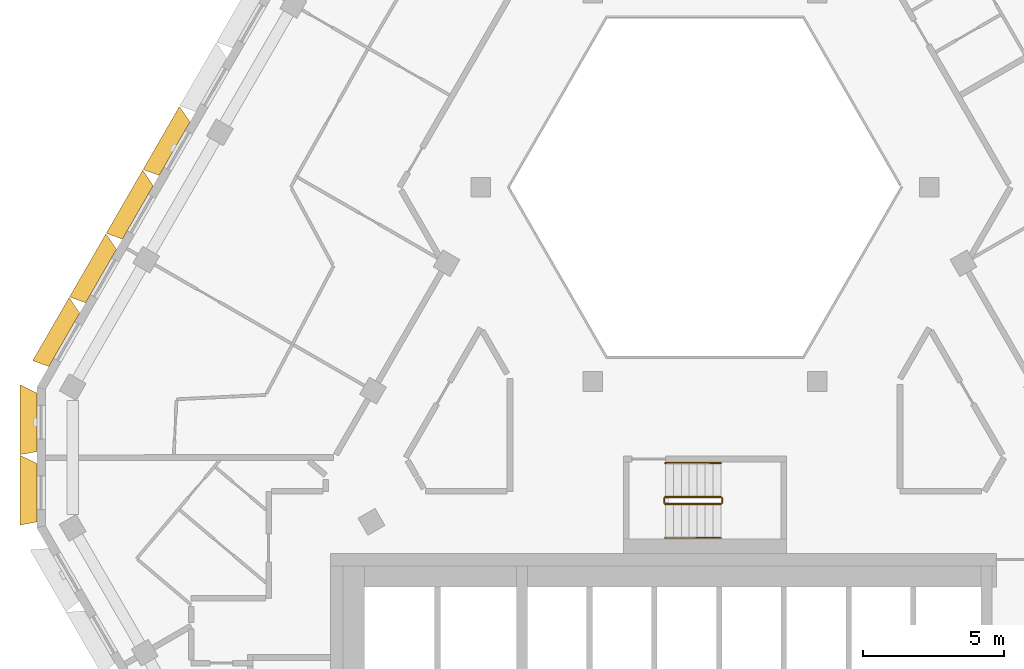
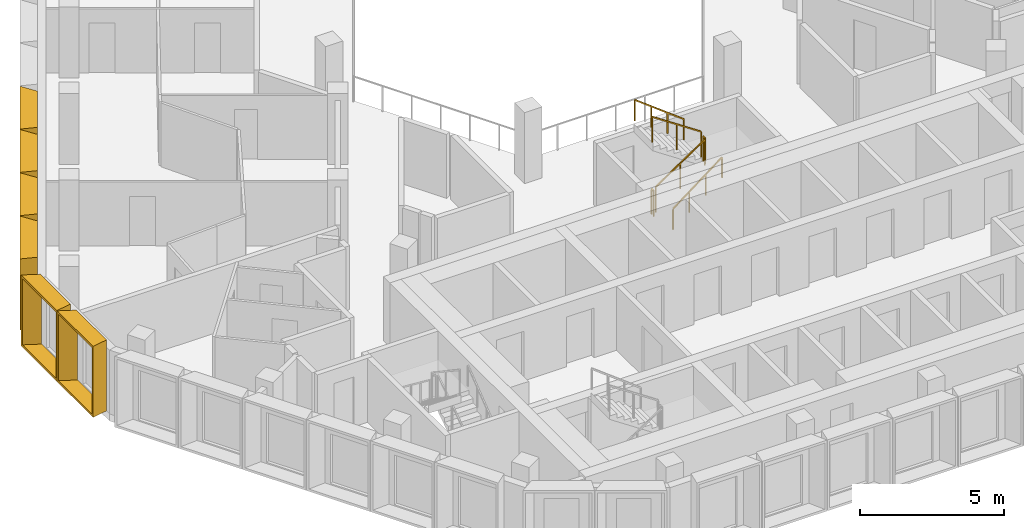
# One storey, part 13 of 16: 6 railings, 6 shading devices.
"""IFC4 building model written with IfcOpenShell, lengths in metres."""

from ifc_helpers import new_model, entity, si_unit, direction, frame, origin, origin_2d, place, context, subcontext, project, spatial, rectangle, extrude, source, transform, mapped, material, type_object, type_shapes, element, save


model = new_model("IFC4")

# Units and contexts
model_context = context("Model", 3, precision=1e-05, world=origin(), true_north=direction((0.0, 1.0)))
body_context = subcontext(model_context, "Body", "Model", "MODEL_VIEW")
ifc_project = project(units=[si_unit("LENGTHUNIT", "METRE"), si_unit("AREAUNIT", "SQUARE_METRE"), si_unit("VOLUMEUNIT", "CUBIC_METRE"), si_unit("PLANEANGLEUNIT", "RADIAN"), si_unit("MASSUNIT", "GRAM", prefix="KILO")], contexts=[model_context])

# Site, building, storey
site_placement = place(None, origin())
site = spatial("IfcSite", under=ifc_project, at=site_placement, CompositionType="ELEMENT")
building_placement = place(site_placement, origin())
building = spatial("IfcBuilding", under=site, at=building_placement, Name="Beryl Residences", CompositionType="ELEMENT")
storey_placement = place(building_placement, frame((0.0, 0.0, 232.800048828125)))
storey = spatial("IfcBuildingStorey", under=building, at=storey_placement, Name="L72", CompositionType="ELEMENT", Elevation=232.800048828125)

# Shading devices
ifc_material_1 = material(Name="Aluminium pale anodised", Category="aluminium")
shading_device_type_1 = type_object("IfcShadingDeviceType", Name="FR250-60B OUTER SKIN frame 600 mm deep, splay 26/10 deg, 2500 x 3000 mm cell", PredefinedType="USERDEFINED", material=ifc_material_1)
cartesian_point_1 = entity("IfcCartesianPoint", [-1.04052734375, 0.0])
cartesian_point_2 = entity("IfcCartesianPoint", [-0.951416015625, 0.10009765625])
cartesian_point_3 = entity("IfcCartesianPoint", [-1.333251953125, 0.0])
cartesian_point_4 = entity("IfcCartesianPoint", [-1.244140625, 0.10009765625])
shared_shape_1 = source(origin(), body_context, "Body", "SweptSolid", [
    entity("IfcExtrudedAreaSolidTapered", entity("IfcArbitraryProfileDefWithVoids", "AREA", None, entity("IfcPolyline", [cartesian_point_1, entity("IfcCartesianPoint", [1.04052734375, 0.0]), entity("IfcCartesianPoint", [1.04052734375, 3.0]), entity("IfcCartesianPoint", [-1.04052734375, 3.0]), cartesian_point_1]), [entity("IfcPolyline", [cartesian_point_2, entity("IfcCartesianPoint", [0.959228515625, 0.10009765625]), entity("IfcCartesianPoint", [0.959228515625, 2.89990234375]), entity("IfcCartesianPoint", [-0.951416015625, 2.89990234375]), cartesian_point_2])]), entity("IfcAxis2Placement3D", entity("IfcCartesianPoint", [0.0, 0.0, 0.0]), entity("IfcDirection", [0.0, 1.0, 0.0]), entity("IfcDirection", [-1.0, 0.0, 0.0])), entity("IfcDirection", [0.0, 0.0, 1.0]), 0.60009765625, entity("IfcArbitraryProfileDefWithVoids", "AREA", None, entity("IfcPolyline", [cartesian_point_3, entity("IfcCartesianPoint", [1.146240234375, 0.0]), entity("IfcCartesianPoint", [1.146240234375, 3.0]), entity("IfcCartesianPoint", [-1.333251953125, 3.0]), cartesian_point_3]), [entity("IfcPolyline", [cartesian_point_4, entity("IfcCartesianPoint", [1.06494140625, 0.10009765625]), entity("IfcCartesianPoint", [1.06494140625, 2.89990234375]), entity("IfcCartesianPoint", [-1.244140625, 2.89990234375]), cartesian_point_4])])),
])
type_shapes(shading_device_type_1, [shared_shape_1])
for number, where, z_axis, x_axis, name in (
    (1, (-23.72900390625, -0.35009765625, 0.0), (0.0, 0.0, 1.0), (0.0, 1.0, 0.0), "FR250-60B frame L72 NW-SW 1"),
    (2, (-23.72900390625, -2.85009765625, 0.0), (0.0, 0.0, 1.0), (0.0, 1.0, 0.0), "FR250-60B frame L72 NW-SW 2"),
):
    element("IfcShadingDevice", number, at=place(storey_placement, frame(where, z_axis=z_axis, x_axis=x_axis)), inside=storey, type_object=shading_device_type_1, Name=name, ObjectType="OUTER SKIN", PredefinedType="USERDEFINED", context=body_context, shape_type="MappedRepresentation", body=[
        mapped(shared_shape_1, transform((0.0, 0.0, 0.0))),
    ])
ifc_material_2 = material(Name="Aluminium pale anodised", Category="aluminium")
shading_device_type_2 = type_object("IfcShadingDeviceType", Name="FR261-60B OUTER SKIN frame 600 mm deep, splay 26/10 deg, 2610 x 3000 mm cell", PredefinedType="USERDEFINED", material=ifc_material_2)
cartesian_point_5 = entity("IfcCartesianPoint", [-1.095458984375, 0.0])
cartesian_point_6 = entity("IfcCartesianPoint", [-1.006591796875, 0.10009765625])
cartesian_point_7 = entity("IfcCartesianPoint", [-1.38818359375, 0.0])
cartesian_point_8 = entity("IfcCartesianPoint", [-1.299072265625, 0.10009765625])
shared_shape_2 = source(origin(), body_context, "Body", "SweptSolid", [
    entity("IfcExtrudedAreaSolidTapered", entity("IfcArbitraryProfileDefWithVoids", "AREA", None, entity("IfcPolyline", [cartesian_point_5, entity("IfcCartesianPoint", [1.095458984375, 0.0]), entity("IfcCartesianPoint", [1.095458984375, 3.0]), entity("IfcCartesianPoint", [-1.095458984375, 3.0]), cartesian_point_5]), [entity("IfcPolyline", [cartesian_point_6, entity("IfcCartesianPoint", [1.01416015625, 0.10009765625]), entity("IfcCartesianPoint", [1.01416015625, 2.89990234375]), entity("IfcCartesianPoint", [-1.006591796875, 2.89990234375]), cartesian_point_6])]), entity("IfcAxis2Placement3D", entity("IfcCartesianPoint", [0.0, 0.0, 0.0]), entity("IfcDirection", [0.0, 1.0, 0.0]), entity("IfcDirection", [-1.0, 0.0, 0.0])), entity("IfcDirection", [0.0, 0.0, 1.0]), 0.60009765625, entity("IfcArbitraryProfileDefWithVoids", "AREA", None, entity("IfcPolyline", [cartesian_point_7, entity("IfcCartesianPoint", [1.201416015625, 0.0]), entity("IfcCartesianPoint", [1.201416015625, 3.0]), entity("IfcCartesianPoint", [-1.38818359375, 3.0]), cartesian_point_7]), [entity("IfcPolyline", [cartesian_point_8, entity("IfcCartesianPoint", [1.1201171875, 0.10009765625]), entity("IfcCartesianPoint", [1.1201171875, 2.89990234375]), entity("IfcCartesianPoint", [-1.299072265625, 2.89990234375]), cartesian_point_8])])),
])
type_shapes(shading_device_type_2, [shared_shape_2])
for number, where, z_axis, x_axis, name in (
    (3, (-18.839111328125, 9.368896484375, 0.0), (0.0, 0.0, 1.0), (0.5, 0.866025403784, 0.0), "FR261-60B frame L72 NW 5"),
    (4, (-20.14501953125, 7.10595703125, 0.0), (0.0, 0.0, 1.0), (0.5, 0.866025403784, 0.0), "FR261-60B frame L72 NW 6"),
    (5, (-21.450927734375, 4.843994140625, 0.0), (0.0, 0.0, 1.0), (0.5, 0.866025403784, 0.0), "FR261-60B frame L72 NW 7"),
    (6, (-22.758056640625, 2.5810546875, 0.0), (0.0, 0.0, 1.0), (0.5, 0.866025403784, 0.0), "FR261-60B frame L72 NW 8"),
):
    element("IfcShadingDevice", number, at=place(storey_placement, frame(where, z_axis=z_axis, x_axis=x_axis)), inside=storey, type_object=shading_device_type_2, Name=name, ObjectType="OUTER SKIN", PredefinedType="USERDEFINED", context=body_context, shape_type="MappedRepresentation", body=[
        mapped(shared_shape_2, transform((0.0, 0.0, 0.0))),
    ])

# Railings
ifc_material_3 = material(Name="Stainless steel balustrade with glass infill", Category="steel")
railing_type_1 = type_object("IfcRailingType", Name="SG1 stair guard 1100 mm", PredefinedType="GUARDRAIL", material=ifc_material_3)
railing_1_placement = place(storey_placement, frame((-1.39990234375, -3.25, 0.1875)))
element("IfcRailing", 7, at=railing_1_placement, inside=storey, type_object=railing_type_1, Name="L72 ST-4 stair guard 1", PredefinedType="GUARDRAIL", context=body_context, shape_type="SweptSolid", body=[
    extrude(rectangle(XDim=0.048095703125, YDim=0.048095703125, at=origin_2d()), frame((0.0, 0.0, 1.076171875), z_axis=(0.830902050051, 0.0, 0.556418712142), x_axis=(0.0, 1.0, 0.0)), (0.0, 0.0, 1.0), 2.35888671875),
    extrude(rectangle(XDim=0.0419921875, YDim=0.0419921875, at=origin_2d()), origin(), (0.0, 0.0, 1.0), 1.052001953125),
    extrude(rectangle(XDim=0.0419921875, YDim=0.0419921875, at=origin_2d()), frame((0.97998046875, 0.0, 0.65625)), (0.0, 0.0, 1.0), 1.052001953125),
    extrude(rectangle(XDim=0.0419921875, YDim=0.0419921875, at=origin_2d()), frame((1.9599609375, 0.0, 1.3125)), (0.0, 0.0, 1.0), 1.052001953125),
])
railing_2_placement = place(storey_placement, frame((0.610107421875, -3.199951171875, 1.5)))
element("IfcRailing", 8, at=railing_2_placement, inside=storey, type_object=railing_type_1, Name="L72 ST-4 stair guard 2", PredefinedType="GUARDRAIL", context=body_context, shape_type="SweptSolid", body=[
    extrude(rectangle(XDim=0.048095703125, YDim=0.048095703125, at=origin_2d()), frame((0.0, 0.0, 1.076171875), z_axis=(0.0, 1.0, 0.0), x_axis=(-1.0, 0.0, 0.0)), (0.0, 0.0, 1.0), 0.14990234375),
    extrude(rectangle(XDim=0.0419921875, YDim=0.0419921875, at=origin_2d()), origin(), (0.0, 0.0, 1.0), 1.052001953125),
    extrude(rectangle(XDim=0.0419921875, YDim=0.0419921875, at=origin_2d()), frame((0.0, 0.14990234375, 0.0)), (0.0, 0.0, 1.0), 1.052001953125),
])
railing_3_placement = place(storey_placement, frame((0.56005859375, -3.0, 1.6875)))
element("IfcRailing", 9, at=railing_3_placement, inside=storey, type_object=railing_type_1, Name="L72 ST-4 stair guard 3", PredefinedType="GUARDRAIL", context=body_context, shape_type="SweptSolid", body=[
    extrude(rectangle(XDim=0.048095703125, YDim=0.048095703125, at=origin_2d()), frame((0.0, 0.0, 1.076171875), z_axis=(-0.830902050051, 0.0, 0.556418712142), x_axis=(0.0, -1.0, 0.0)), (0.0, 0.0, 1.0), 2.35888671875),
    extrude(rectangle(XDim=0.0419921875, YDim=0.0419921875, at=origin_2d()), origin(), (0.0, 0.0, 1.0), 1.052001953125),
    extrude(rectangle(XDim=0.0419921875, YDim=0.0419921875, at=origin_2d()), frame((-0.97998046875, 0.0, 0.65625)), (0.0, 0.0, 1.0), 1.052001953125),
    extrude(rectangle(XDim=0.0419921875, YDim=0.0419921875, at=origin_2d()), frame((-1.9599609375, 0.0, 1.3125)), (0.0, 0.0, 1.0), 1.052001953125),
])
railing_4_placement = place(storey_placement, frame((-1.449951171875, -3.199951171875, 0.0)))
element("IfcRailing", 10, at=railing_4_placement, inside=storey, type_object=railing_type_1, Name="L72 ST-4 stair guard 4", PredefinedType="GUARDRAIL", context=body_context, shape_type="SweptSolid", body=[
    extrude(rectangle(XDim=0.048095703125, YDim=0.048095703125, at=origin_2d()), frame((0.0, 0.0, 1.076171875), z_axis=(0.0, 1.0, 0.0), x_axis=(-1.0, 0.0, 0.0)), (0.0, 0.0, 1.0), 0.14990234375),
    extrude(rectangle(XDim=0.0419921875, YDim=0.0419921875, at=origin_2d()), origin(), (0.0, 0.0, 1.0), 1.052001953125),
    extrude(rectangle(XDim=0.0419921875, YDim=0.0419921875, at=origin_2d()), frame((0.0, 0.14990234375, 0.0)), (0.0, 0.0, 1.0), 1.052001953125),
])
ifc_material_4 = material(Name="Stainless steel handrail", Category="steel")
railing_type_2 = type_object("IfcRailingType", Name="SRL1 stair handrail 900 mm", PredefinedType="HANDRAIL", material=ifc_material_4)
railing_5_placement = place(storey_placement, frame((-1.39990234375, -4.449951171875, 0.1875)))
element("IfcRailing", 11, at=railing_5_placement, inside=storey, type_object=railing_type_2, Name="L72 ST-4 stair handrail 1", PredefinedType="HANDRAIL", context=body_context, shape_type="SweptSolid", body=[
    extrude(rectangle(XDim=0.048095703125, YDim=0.048095703125, at=origin_2d()), frame((0.0, 0.0, 0.8759765625), z_axis=(0.794121922505, 0.0, 0.607758481798), x_axis=(0.0, 1.0, 0.0)), (0.0, 0.0, 1.0), 2.468017578125),
    extrude(rectangle(XDim=0.0419921875, YDim=0.0419921875, at=origin_2d()), origin(), (0.0, 0.0, 1.0), 0.851806640625),
    extrude(rectangle(XDim=0.0419921875, YDim=0.0419921875, at=origin_2d()), frame((0.6533203125, 0.0, 0.5)), (0.0, 0.0, 1.0), 0.851806640625),
    extrude(rectangle(XDim=0.0419921875, YDim=0.0419921875, at=origin_2d()), frame((1.306640625, 0.0, 1.0)), (0.0, 0.0, 1.0), 0.851806640625),
    extrude(rectangle(XDim=0.0419921875, YDim=0.0419921875, at=origin_2d()), frame((1.9599609375, 0.0, 1.5)), (0.0, 0.0, 1.0), 0.851806640625),
])
railing_6_placement = place(storey_placement, frame((0.56005859375, -1.800048828125, 1.6875)))
element("IfcRailing", 12, at=railing_6_placement, inside=storey, type_object=railing_type_2, Name="L72 ST-4 stair handrail 2", PredefinedType="HANDRAIL", context=body_context, shape_type="SweptSolid", body=[
    extrude(rectangle(XDim=0.048095703125, YDim=0.048095703125, at=origin_2d()), frame((0.0, 0.0, 0.8759765625), z_axis=(-0.794121922505, 0.0, 0.607758481798), x_axis=(0.0, -1.0, 0.0)), (0.0, 0.0, 1.0), 2.468017578125),
    extrude(rectangle(XDim=0.0419921875, YDim=0.0419921875, at=origin_2d()), origin(), (0.0, 0.0, 1.0), 0.851806640625),
    extrude(rectangle(XDim=0.0419921875, YDim=0.0419921875, at=origin_2d()), frame((-0.6533203125, 0.0, 0.5)), (0.0, 0.0, 1.0), 0.851806640625),
    extrude(rectangle(XDim=0.0419921875, YDim=0.0419921875, at=origin_2d()), frame((-1.306640625, 0.0, 1.0)), (0.0, 0.0, 1.0), 0.851806640625),
    extrude(rectangle(XDim=0.0419921875, YDim=0.0419921875, at=origin_2d()), frame((-1.9599609375, 0.0, 1.5)), (0.0, 0.0, 1.0), 0.851806640625),
])

save(model, "model.ifc")
